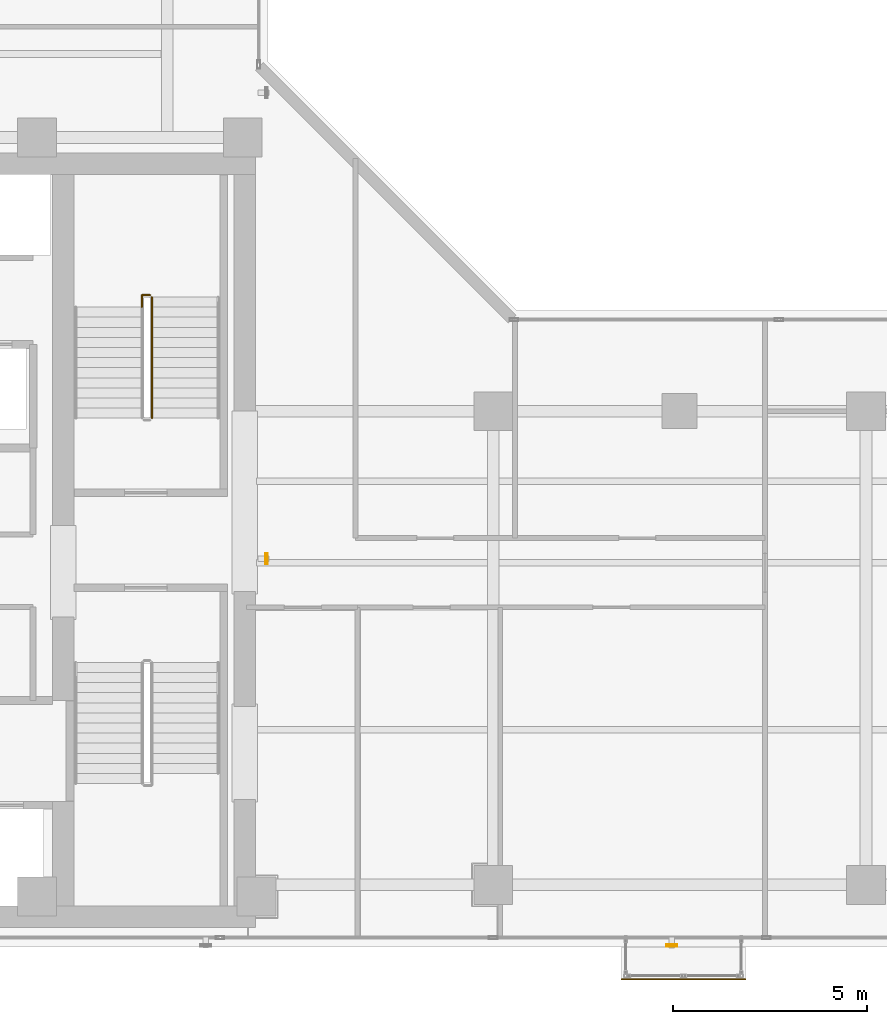
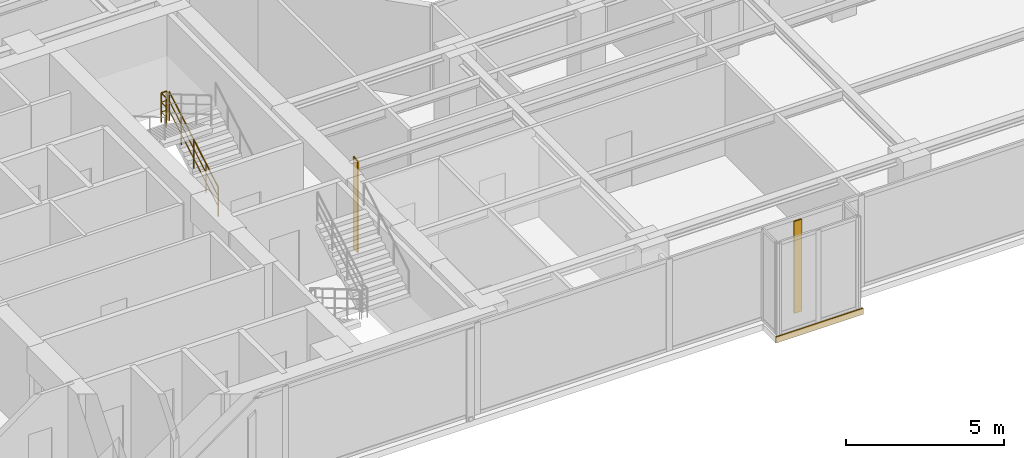
# One storey, part 21 of 23: 2 railings, 2 shading devices, 1 covering.
"""IFC4 building model written with IfcOpenShell, lengths in metres."""

from ifc_helpers import new_model, si_unit, direction, frame, origin, origin_2d, place, context, subcontext, project, spatial, rectangle, hollow_rectangle, circle, extrude, material, layer, layer_set, material_profile, profile_set, type_object, element, save


model = new_model("IFC4")

# Units and contexts
model_context = context("Model", 3, precision=1e-05, world=origin(), true_north=direction((0.0, 1.0)))
body_context = subcontext(model_context, "Body", "Model", "MODEL_VIEW")
ifc_project = project(units=[si_unit("LENGTHUNIT", "METRE"), si_unit("AREAUNIT", "SQUARE_METRE"), si_unit("VOLUMEUNIT", "CUBIC_METRE"), si_unit("PLANEANGLEUNIT", "RADIAN"), si_unit("MASSUNIT", "GRAM", prefix="KILO")], contexts=[model_context])

# Site, building, storey
site_placement = place(None, origin())
site = spatial("IfcSite", under=ifc_project, at=site_placement, CompositionType="ELEMENT")
building_placement = place(site_placement, origin())
building = spatial("IfcBuilding", under=site, at=building_placement, Name="Kolvaren Waterfront Exchange", CompositionType="ELEMENT")
storey_placement = place(building_placement, frame((0.0, 0.0, 234.89990234375)))
storey = spatial("IfcBuildingStorey", under=building, at=storey_placement, Name="L60", CompositionType="ELEMENT", Elevation=234.89990234375)

# Covering
ifc_material_1 = material(Name="Anodised bronze fascia aluminium", Category="aluminium")
ifc_layer = layer(ifc_material_1, 0.034912109375, Name="Anodised bronze fascia aluminium")
ifc_layer_set = layer_set([ifc_layer], Name="Anodised bronze fascia aluminium")
covering_type = type_object("IfcCoveringType", Name="ARC-CLAD-BRONZE-35", PredefinedType="CLADDING", material=ifc_layer_set)
covering_placement = place(storey_placement, frame((32.10009765625, 2.77001953125, -0.2197265625), z_axis=(0.0, 0.0, 1.0), x_axis=(1.0, 0.0, 0.0)))
element("IfcCovering", 1, at=covering_placement, inside=storey, type_object=covering_type, Name="L60 ribbed anodised bronze bay-box fascia", PredefinedType="CLADDING", context=body_context, shape_type="SweptSolid", body=[
    extrude(rectangle(XDim=3.199951171875, YDim=0.034912109375, at=origin_2d()), origin(), (0.0, 0.0, 1.0), 0.239990234375),
])

# Shading devices
ifc_material_2 = material(Name="Anodised bronze aluminium 6063-T6", Category="aluminium")
ifc_material_profile = material_profile(ifc_material_2, hollow_rectangle(XDim=0.054931640625, YDim=0.280029296875, WallThickness=0.00439453125, at=origin_2d()), Name="BRZ-FIN-280x55x4.5")
ifc_profile_set = profile_set([ifc_material_profile], Name="Anodised bronze aluminium 6063-T6")
shading_device_type = type_object("IfcShadingDeviceType", Name="ARC-FIN-280", PredefinedType="USERDEFINED", material=ifc_profile_set)
for number, where, z_axis, x_axis, name in (
    (2, (31.800048828125, 3.639892578125, 0.0), (0.0, 0.0, 1.0), (0.0, -1.0, 0.0), "L60 anodised bronze solar shading fin FIN-L60-S3"),
    (3, (21.360107421875, 13.60009765625, 0.0), (0.0, 0.0, 1.0), (1.0, 0.0, 0.0), "L60 anodised bronze solar shading fin FIN-L60-E1"),
):
    element("IfcShadingDevice", number, at=place(storey_placement, frame(where, z_axis=z_axis, x_axis=x_axis)), inside=storey, type_object=shading_device_type, Name=name, ObjectType="SOLAR FIN", PredefinedType="USERDEFINED", context=body_context, shape_type="SweptSolid", body=[
        extrude(hollow_rectangle(XDim=0.054931640625, YDim=0.280029296875, WallThickness=0.00439453125, at=origin_2d()), origin(), (0.0, 0.0, 1.0), 3.56005859375),
    ])

# Railings
ifc_material_3 = material(Name="Stainless steel 316", Category="steel")
railing_type = type_object("IfcRailingType", Name="ARC-GUARD-STAIR", PredefinedType="GUARDRAIL", material=ifc_material_3)
railing_1_placement = place(storey_placement, frame((18.409912109375, 17.219970703125, 0.152099609375)))
element("IfcRailing", 4, at=railing_1_placement, inside=storey, type_object=railing_type, Name="L60 ST2 stair guard 1", PredefinedType="GUARDRAIL", context=body_context, shape_type="SweptSolid", body=[
    extrude(circle(Radius=0.02392578125, at=origin_2d()), frame((0.0, 0.0, 1.1259765625), z_axis=(0.0, 0.86330811405, 0.504677223793), x_axis=(-1.0, 0.0, 0.0)), (0.0, 0.0, 1.0), 3.6142578125),
    extrude(circle(Radius=0.01611328125, at=origin_2d()), frame((0.0, 0.0, 0.390869140625), z_axis=(0.0, 0.86330811405, 0.504677223793), x_axis=(-1.0, 0.0, 0.0)), (0.0, 0.0, 1.0), 3.6142578125),
    extrude(circle(Radius=0.01611328125, at=origin_2d()), frame((0.0, 0.0, 0.7705078125), z_axis=(0.0, 0.86330811405, 0.504677223793), x_axis=(-1.0, 0.0, 0.0)), (0.0, 0.0, 1.0), 3.6142578125),
    extrude(circle(Radius=0.02099609375, at=origin_2d()), origin(), (0.0, 0.0, 1.0), 1.101806640625),
    extrude(circle(Radius=0.02099609375, at=origin_2d()), frame((0.0, 0.780029296875, 0.4560546875)), (0.0, 0.0, 1.0), 1.101806640625),
    extrude(circle(Radius=0.02099609375, at=origin_2d()), frame((0.0, 1.56005859375, 0.912109375)), (0.0, 0.0, 1.0), 1.101806640625),
    extrude(circle(Radius=0.02099609375, at=origin_2d()), frame((0.0, 2.340087890625, 1.367919921875)), (0.0, 0.0, 1.0), 1.101806640625),
    extrude(circle(Radius=0.02099609375, at=origin_2d()), frame((0.0, 3.1201171875, 1.823974609375)), (0.0, 0.0, 1.0), 1.101806640625),
])
railing_2_placement = place(storey_placement, frame((18.360107421875, 20.389892578125, 1.97607421875)))
element("IfcRailing", 5, at=railing_2_placement, inside=storey, type_object=railing_type, Name="L60 ST2 stair guard 2", PredefinedType="GUARDRAIL", context=body_context, shape_type="SweptSolid", body=[
    extrude(circle(Radius=0.02392578125, at=origin_2d()), frame((0.0, 0.0, 1.1259765625), z_axis=(-1.0, 0.0, 0.0), x_axis=(0.0, -1.0, 0.0)), (0.0, 0.0, 1.0), 0.210205078125),
    extrude(circle(Radius=0.01611328125, at=origin_2d()), frame((0.0, 0.0, 0.390869140625), z_axis=(-1.0, 0.0, 0.0), x_axis=(0.0, -1.0, 0.0)), (0.0, 0.0, 1.0), 0.210205078125),
    extrude(circle(Radius=0.01611328125, at=origin_2d()), frame((0.0, 0.0, 0.7705078125), z_axis=(-1.0, 0.0, 0.0), x_axis=(0.0, -1.0, 0.0)), (0.0, 0.0, 1.0), 0.210205078125),
    extrude(circle(Radius=0.02392578125, at=origin_2d()), frame((-0.210205078125, 0.0, 1.1259765625), z_axis=(0.0, -1.0, 0.0), x_axis=(1.0, 0.0, 0.0)), (0.0, 0.0, 1.0), 0.309814453125),
    extrude(circle(Radius=0.01611328125, at=origin_2d()), frame((-0.210205078125, 0.0, 0.390869140625), z_axis=(0.0, -1.0, 0.0), x_axis=(1.0, 0.0, 0.0)), (0.0, 0.0, 1.0), 0.309814453125),
    extrude(circle(Radius=0.01611328125, at=origin_2d()), frame((-0.210205078125, 0.0, 0.7705078125), z_axis=(0.0, -1.0, 0.0), x_axis=(1.0, 0.0, 0.0)), (0.0, 0.0, 1.0), 0.309814453125),
    extrude(circle(Radius=0.02099609375, at=origin_2d()), origin(), (0.0, 0.0, 1.0), 1.101806640625),
    extrude(circle(Radius=0.02099609375, at=origin_2d()), frame((-0.210205078125, 0.0, 0.0)), (0.0, 0.0, 1.0), 1.101806640625),
    extrude(circle(Radius=0.02099609375, at=origin_2d()), frame((-0.210205078125, -0.309814453125, 0.0)), (0.0, 0.0, 1.0), 1.101806640625),
])

save(model, "model.ifc")
